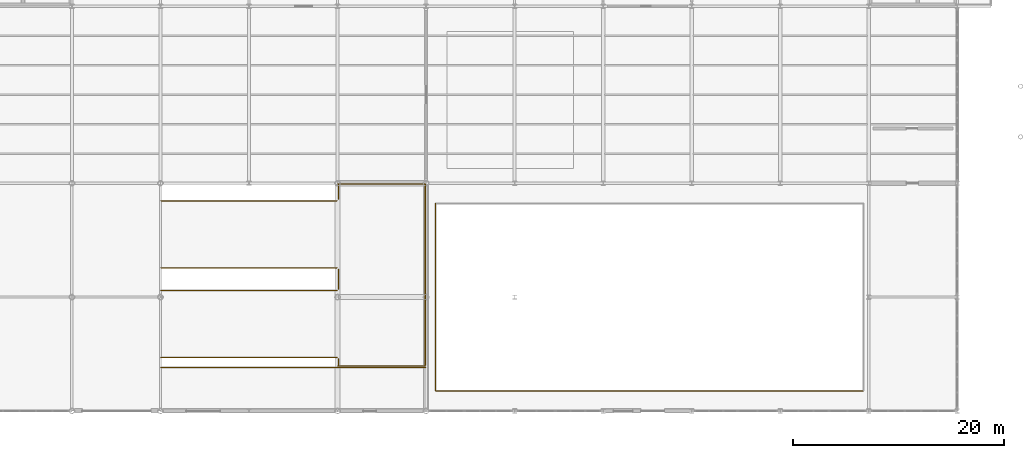
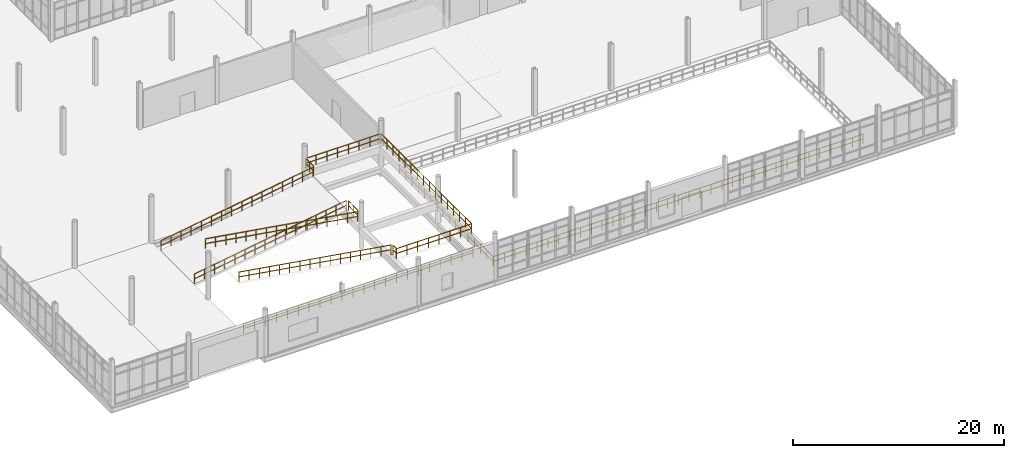
# One storey, part 104 of 111: 13 railings.
"""IFC4 building model written with IfcOpenShell, lengths in metres."""

from ifc_helpers import new_model, si_unit, direction, frame, origin, origin_2d, place, context, subcontext, project, spatial, circle, extrude, material, type_object, element, save


model = new_model("IFC4")

# Units and contexts
model_context = context("Model", 3, precision=1e-05, world=origin(), true_north=direction((0.0, 1.0)))
body_context = subcontext(model_context, "Body", "Model", "MODEL_VIEW")
ifc_project = project(units=[si_unit("LENGTHUNIT", "METRE"), si_unit("AREAUNIT", "SQUARE_METRE"), si_unit("VOLUMEUNIT", "CUBIC_METRE"), si_unit("PLANEANGLEUNIT", "RADIAN"), si_unit("MASSUNIT", "GRAM", prefix="KILO"), si_unit("THERMODYNAMICTEMPERATUREUNIT", "KELVIN"), si_unit("POWERUNIT", "WATT")], contexts=[model_context])

# Site, building, storey
site_placement = place(None, origin())
site = spatial("IfcSite", under=ifc_project, at=site_placement, CompositionType="ELEMENT")
building_placement = place(site_placement, origin())
building = spatial("IfcBuilding", under=site, at=building_placement, Name="Tembeka Court Mobility Hub", CompositionType="ELEMENT")
storey_placement = place(building_placement, origin())
storey = spatial("IfcBuildingStorey", under=building, at=storey_placement, Name="L00", CompositionType="ELEMENT", Elevation=0.0)

# Railings
ifc_material = material(Name="Painted galvanised steel balustrade", Category="steel")
railing_type = type_object("IfcRailingType", Name="RL-GR02", PredefinedType="GUARDRAIL", material=ifc_material)
railing_1_placement = place(storey_placement, frame((42.929931640625, 1.89990234375, 0.0)))
element("IfcRailing", 1, at=railing_1_placement, inside=storey, type_object=railing_type, Name="Perimeter guard GR02-0009", PredefinedType="GUARDRAIL", context=body_context, shape_type="SweptSolid", body=[
    extrude(circle(Radius=0.02392578125, at=origin_2d()), frame((0.0, 0.0, 1.09619140625), z_axis=(1.0, 0.0, 0.0), x_axis=(0.0, 1.0, 0.0)), (0.0, 0.0, 1.0), 40.5400390625),
    extrude(circle(Radius=0.02392578125, at=origin_2d()), frame((0.0, 0.0, 0.5361328125), z_axis=(1.0, 0.0, 0.0), x_axis=(0.0, 1.0, 0.0)), (0.0, 0.0, 1.0), 40.5400390625),
    extrude(circle(Radius=0.02099609375, at=origin_2d()), origin(), (0.0, 0.0, 1.0), 1.072021484375),
    extrude(circle(Radius=0.02099609375, at=origin_2d()), frame((1.1923828125, 0.0, 0.0)), (0.0, 0.0, 1.0), 1.072021484375),
    extrude(circle(Radius=0.02099609375, at=origin_2d()), frame((2.384765625, 0.0, 0.0)), (0.0, 0.0, 1.0), 1.072021484375),
    extrude(circle(Radius=0.02099609375, at=origin_2d()), frame((3.5771484375, 0.0, 0.0)), (0.0, 0.0, 1.0), 1.072021484375),
    extrude(circle(Radius=0.02099609375, at=origin_2d()), frame((4.76953125, 0.0, 0.0)), (0.0, 0.0, 1.0), 1.072021484375),
    extrude(circle(Radius=0.02099609375, at=origin_2d()), frame((5.961669921875, 0.0, 0.0)), (0.0, 0.0, 1.0), 1.072021484375),
    extrude(circle(Radius=0.02099609375, at=origin_2d()), frame((7.154052734375, 0.0, 0.0)), (0.0, 0.0, 1.0), 1.072021484375),
    extrude(circle(Radius=0.02099609375, at=origin_2d()), frame((8.346435546875, 0.0, 0.0)), (0.0, 0.0, 1.0), 1.072021484375),
    extrude(circle(Radius=0.02099609375, at=origin_2d()), frame((9.538818359375, 0.0, 0.0)), (0.0, 0.0, 1.0), 1.072021484375),
    extrude(circle(Radius=0.02099609375, at=origin_2d()), frame((10.731201171875, 0.0, 0.0)), (0.0, 0.0, 1.0), 1.072021484375),
    extrude(circle(Radius=0.02099609375, at=origin_2d()), frame((11.923583984375, 0.0, 0.0)), (0.0, 0.0, 1.0), 1.072021484375),
    extrude(circle(Radius=0.02099609375, at=origin_2d()), frame((13.115966796875, 0.0, 0.0)), (0.0, 0.0, 1.0), 1.072021484375),
    extrude(circle(Radius=0.02099609375, at=origin_2d()), frame((14.308349609375, 0.0, 0.0)), (0.0, 0.0, 1.0), 1.072021484375),
    extrude(circle(Radius=0.02099609375, at=origin_2d()), frame((15.50048828125, 0.0, 0.0)), (0.0, 0.0, 1.0), 1.072021484375),
    extrude(circle(Radius=0.02099609375, at=origin_2d()), frame((16.69287109375, 0.0, 0.0)), (0.0, 0.0, 1.0), 1.072021484375),
    extrude(circle(Radius=0.02099609375, at=origin_2d()), frame((17.88525390625, 0.0, 0.0)), (0.0, 0.0, 1.0), 1.072021484375),
    extrude(circle(Radius=0.02099609375, at=origin_2d()), frame((19.07763671875, 0.0, 0.0)), (0.0, 0.0, 1.0), 1.072021484375),
    extrude(circle(Radius=0.02099609375, at=origin_2d()), frame((20.27001953125, 0.0, 0.0)), (0.0, 0.0, 1.0), 1.072021484375),
    extrude(circle(Radius=0.02099609375, at=origin_2d()), frame((21.46240234375, 0.0, 0.0)), (0.0, 0.0, 1.0), 1.072021484375),
    extrude(circle(Radius=0.02099609375, at=origin_2d()), frame((22.65478515625, 0.0, 0.0)), (0.0, 0.0, 1.0), 1.072021484375),
    extrude(circle(Radius=0.02099609375, at=origin_2d()), frame((23.84716796875, 0.0, 0.0)), (0.0, 0.0, 1.0), 1.072021484375),
    extrude(circle(Radius=0.02099609375, at=origin_2d()), frame((25.03955078125, 0.0, 0.0)), (0.0, 0.0, 1.0), 1.072021484375),
    extrude(circle(Radius=0.02099609375, at=origin_2d()), frame((26.231689453125, 0.0, 0.0)), (0.0, 0.0, 1.0), 1.072021484375),
    extrude(circle(Radius=0.02099609375, at=origin_2d()), frame((27.424072265625, 0.0, 0.0)), (0.0, 0.0, 1.0), 1.072021484375),
    extrude(circle(Radius=0.02099609375, at=origin_2d()), frame((28.616455078125, 0.0, 0.0)), (0.0, 0.0, 1.0), 1.072021484375),
    extrude(circle(Radius=0.02099609375, at=origin_2d()), frame((29.808837890625, 0.0, 0.0)), (0.0, 0.0, 1.0), 1.072021484375),
    extrude(circle(Radius=0.02099609375, at=origin_2d()), frame((31.001220703125, 0.0, 0.0)), (0.0, 0.0, 1.0), 1.072021484375),
    extrude(circle(Radius=0.02099609375, at=origin_2d()), frame((32.193603515625, 0.0, 0.0)), (0.0, 0.0, 1.0), 1.072021484375),
    extrude(circle(Radius=0.02099609375, at=origin_2d()), frame((33.385986328125, 0.0, 0.0)), (0.0, 0.0, 1.0), 1.072021484375),
    extrude(circle(Radius=0.02099609375, at=origin_2d()), frame((34.578369140625, 0.0, 0.0)), (0.0, 0.0, 1.0), 1.072021484375),
    extrude(circle(Radius=0.02099609375, at=origin_2d()), frame((35.7705078125, 0.0, 0.0)), (0.0, 0.0, 1.0), 1.072021484375),
    extrude(circle(Radius=0.02099609375, at=origin_2d()), frame((36.962890625, 0.0, 0.0)), (0.0, 0.0, 1.0), 1.072021484375),
    extrude(circle(Radius=0.02099609375, at=origin_2d()), frame((38.1552734375, 0.0, 0.0)), (0.0, 0.0, 1.0), 1.072021484375),
    extrude(circle(Radius=0.02099609375, at=origin_2d()), frame((39.34765625, 0.0, 0.0)), (0.0, 0.0, 1.0), 1.072021484375),
    extrude(circle(Radius=0.02099609375, at=origin_2d()), frame((40.5400390625, 0.0, 0.0)), (0.0, 0.0, 1.0), 1.072021484375),
])
railing_2_placement = place(storey_placement, frame((42.89990234375, 19.669921875, 0.0)))
element("IfcRailing", 2, at=railing_2_placement, inside=storey, type_object=railing_type, Name="Perimeter guard GR02-0012", PredefinedType="GUARDRAIL", context=body_context, shape_type="SweptSolid", body=[
    extrude(circle(Radius=0.02392578125, at=origin_2d()), frame((0.0, 0.0, 1.09619140625), z_axis=(0.0, -1.0, 0.0), x_axis=(1.0, 0.0, 0.0)), (0.0, 0.0, 1.0), 17.739990234375),
    extrude(circle(Radius=0.02392578125, at=origin_2d()), frame((0.0, 0.0, 0.5361328125), z_axis=(0.0, -1.0, 0.0), x_axis=(1.0, 0.0, 0.0)), (0.0, 0.0, 1.0), 17.739990234375),
    extrude(circle(Radius=0.02099609375, at=origin_2d()), origin(), (0.0, 0.0, 1.0), 1.072021484375),
    extrude(circle(Radius=0.02099609375, at=origin_2d()), frame((0.0, -1.1826171875, 0.0)), (0.0, 0.0, 1.0), 1.072021484375),
    extrude(circle(Radius=0.02099609375, at=origin_2d()), frame((0.0, -2.365234375, 0.0)), (0.0, 0.0, 1.0), 1.072021484375),
    extrude(circle(Radius=0.02099609375, at=origin_2d()), frame((0.0, -3.548095703125, 0.0)), (0.0, 0.0, 1.0), 1.072021484375),
    extrude(circle(Radius=0.02099609375, at=origin_2d()), frame((0.0, -4.730712890625, 0.0)), (0.0, 0.0, 1.0), 1.072021484375),
    extrude(circle(Radius=0.02099609375, at=origin_2d()), frame((0.0, -5.913330078125, 0.0)), (0.0, 0.0, 1.0), 1.072021484375),
    extrude(circle(Radius=0.02099609375, at=origin_2d()), frame((0.0, -7.095947265625, 0.0)), (0.0, 0.0, 1.0), 1.072021484375),
    extrude(circle(Radius=0.02099609375, at=origin_2d()), frame((0.0, -8.278564453125, 0.0)), (0.0, 0.0, 1.0), 1.072021484375),
    extrude(circle(Radius=0.02099609375, at=origin_2d()), frame((0.0, -9.46142578125, 0.0)), (0.0, 0.0, 1.0), 1.072021484375),
    extrude(circle(Radius=0.02099609375, at=origin_2d()), frame((0.0, -10.64404296875, 0.0)), (0.0, 0.0, 1.0), 1.072021484375),
    extrude(circle(Radius=0.02099609375, at=origin_2d()), frame((0.0, -11.82666015625, 0.0)), (0.0, 0.0, 1.0), 1.072021484375),
    extrude(circle(Radius=0.02099609375, at=origin_2d()), frame((0.0, -13.00927734375, 0.0)), (0.0, 0.0, 1.0), 1.072021484375),
    extrude(circle(Radius=0.02099609375, at=origin_2d()), frame((0.0, -14.19189453125, 0.0)), (0.0, 0.0, 1.0), 1.072021484375),
    extrude(circle(Radius=0.02099609375, at=origin_2d()), frame((0.0, -15.374755859375, 0.0)), (0.0, 0.0, 1.0), 1.072021484375),
    extrude(circle(Radius=0.02099609375, at=origin_2d()), frame((0.0, -16.557373046875, 0.0)), (0.0, 0.0, 1.0), 1.072021484375),
    extrude(circle(Radius=0.02099609375, at=origin_2d()), frame((0.0, -17.739990234375, 0.0)), (0.0, 0.0, 1.0), 1.072021484375),
])
railing_3_placement = place(storey_placement, frame((16.830078125, 4.1201171875, 0.0)))
element("IfcRailing", 3, at=railing_3_placement, inside=storey, type_object=railing_type, Name="Perimeter guard GR02-0184", PredefinedType="GUARDRAIL", context=body_context, shape_type="SweptSolid", body=[
    extrude(circle(Radius=0.02392578125, at=origin_2d()), frame((0.0, 0.0, 1.09619140625), z_axis=(1.0, 0.0, 0.0), x_axis=(0.0, 1.0, 0.0)), (0.0, 0.0, 1.0), 25.139892578125),
    extrude(circle(Radius=0.02392578125, at=origin_2d()), frame((0.0, 0.0, 0.5361328125), z_axis=(1.0, 0.0, 0.0), x_axis=(0.0, 1.0, 0.0)), (0.0, 0.0, 1.0), 25.139892578125),
    extrude(circle(Radius=0.02099609375, at=origin_2d()), origin(), (0.0, 0.0, 1.0), 1.072021484375),
    extrude(circle(Radius=0.02099609375, at=origin_2d()), frame((1.197021484375, 0.0, 0.0)), (0.0, 0.0, 1.0), 1.072021484375),
    extrude(circle(Radius=0.02099609375, at=origin_2d()), frame((2.394287109375, 0.0, 0.0)), (0.0, 0.0, 1.0), 1.072021484375),
    extrude(circle(Radius=0.02099609375, at=origin_2d()), frame((3.59130859375, 0.0, 0.0)), (0.0, 0.0, 1.0), 1.072021484375),
    extrude(circle(Radius=0.02099609375, at=origin_2d()), frame((4.78857421875, 0.0, 0.0)), (0.0, 0.0, 1.0), 1.072021484375),
    extrude(circle(Radius=0.02099609375, at=origin_2d()), frame((5.985595703125, 0.0, 0.0)), (0.0, 0.0, 1.0), 1.072021484375),
    extrude(circle(Radius=0.02099609375, at=origin_2d()), frame((7.182861328125, 0.0, 0.0)), (0.0, 0.0, 1.0), 1.072021484375),
    extrude(circle(Radius=0.02099609375, at=origin_2d()), frame((8.3798828125, 0.0, 0.0)), (0.0, 0.0, 1.0), 1.072021484375),
    extrude(circle(Radius=0.02099609375, at=origin_2d()), frame((9.5771484375, 0.0, 0.0)), (0.0, 0.0, 1.0), 1.072021484375),
    extrude(circle(Radius=0.02099609375, at=origin_2d()), frame((10.774169921875, 0.0, 0.0)), (0.0, 0.0, 1.0), 1.072021484375),
    extrude(circle(Radius=0.02099609375, at=origin_2d()), frame((11.971435546875, 0.0, 0.0)), (0.0, 0.0, 1.0), 1.072021484375),
    extrude(circle(Radius=0.02099609375, at=origin_2d()), frame((13.16845703125, 0.0, 0.0)), (0.0, 0.0, 1.0), 1.072021484375),
    extrude(circle(Radius=0.02099609375, at=origin_2d()), frame((14.36572265625, 0.0, 0.0)), (0.0, 0.0, 1.0), 1.072021484375),
    extrude(circle(Radius=0.02099609375, at=origin_2d()), frame((15.562744140625, 0.0, 0.0)), (0.0, 0.0, 1.0), 1.072021484375),
    extrude(circle(Radius=0.02099609375, at=origin_2d()), frame((16.760009765625, 0.0, 0.0)), (0.0, 0.0, 1.0), 1.072021484375),
    extrude(circle(Radius=0.02099609375, at=origin_2d()), frame((17.95703125, 0.0, 0.0)), (0.0, 0.0, 1.0), 1.072021484375),
    extrude(circle(Radius=0.02099609375, at=origin_2d()), frame((19.154296875, 0.0, 0.0)), (0.0, 0.0, 1.0), 1.072021484375),
    extrude(circle(Radius=0.02099609375, at=origin_2d()), frame((20.351318359375, 0.0, 0.0)), (0.0, 0.0, 1.0), 1.072021484375),
    extrude(circle(Radius=0.02099609375, at=origin_2d()), frame((21.548583984375, 0.0, 0.0)), (0.0, 0.0, 1.0), 1.072021484375),
    extrude(circle(Radius=0.02099609375, at=origin_2d()), frame((22.74560546875, 0.0, 0.0)), (0.0, 0.0, 1.0), 1.072021484375),
    extrude(circle(Radius=0.02099609375, at=origin_2d()), frame((23.94287109375, 0.0, 0.0)), (0.0, 0.0, 1.0), 1.072021484375),
    extrude(circle(Radius=0.02099609375, at=origin_2d()), frame((25.139892578125, 0.0, 0.0)), (0.0, 0.0, 1.0), 1.072021484375),
])
railing_4_placement = place(storey_placement, frame((16.86962890625, 13.570068359375, 0.0048828125)))
element("IfcRailing", 4, at=railing_4_placement, inside=storey, type_object=railing_type, Name="Perimeter guard GR02-0287", PredefinedType="GUARDRAIL", context=body_context, shape_type="SweptSolid", body=[
    extrude(circle(Radius=0.02392578125, at=origin_2d()), frame((0.0, 0.0, 1.09619140625), z_axis=(0.987211393699, 0.0, 0.159416636997), x_axis=(0.0, 1.0, 0.0)), (0.0, 0.0, 1.0), 16.876708984375),
    extrude(circle(Radius=0.02392578125, at=origin_2d()), frame((0.0, 0.0, 0.5361328125), z_axis=(0.987211393699, 0.0, 0.159416636997), x_axis=(0.0, 1.0, 0.0)), (0.0, 0.0, 1.0), 16.876708984375),
    extrude(circle(Radius=0.02099609375, at=origin_2d()), origin(), (0.0, 0.0, 1.0), 1.072021484375),
    extrude(circle(Radius=0.02099609375, at=origin_2d()), frame((1.11083984375, 0.0, 0.179443359375)), (0.0, 0.0, 1.0), 1.072021484375),
    extrude(circle(Radius=0.02099609375, at=origin_2d()), frame((2.221435546875, 0.0, 0.358642578125)), (0.0, 0.0, 1.0), 1.072021484375),
    extrude(circle(Radius=0.02099609375, at=origin_2d()), frame((3.332275390625, 0.0, 0.5380859375)), (0.0, 0.0, 1.0), 1.072021484375),
    extrude(circle(Radius=0.02099609375, at=origin_2d()), frame((4.44287109375, 0.0, 0.717529296875)), (0.0, 0.0, 1.0), 1.072021484375),
    extrude(circle(Radius=0.02099609375, at=origin_2d()), frame((5.5537109375, 0.0, 0.896728515625)), (0.0, 0.0, 1.0), 1.072021484375),
    extrude(circle(Radius=0.02099609375, at=origin_2d()), frame((6.664306640625, 0.0, 1.076171875)), (0.0, 0.0, 1.0), 1.072021484375),
    extrude(circle(Radius=0.02099609375, at=origin_2d()), frame((7.775146484375, 0.0, 1.255615234375)), (0.0, 0.0, 1.0), 1.072021484375),
    extrude(circle(Radius=0.02099609375, at=origin_2d()), frame((8.8857421875, 0.0, 1.434814453125)), (0.0, 0.0, 1.0), 1.072021484375),
    extrude(circle(Radius=0.02099609375, at=origin_2d()), frame((9.99658203125, 0.0, 1.6142578125)), (0.0, 0.0, 1.0), 1.072021484375),
    extrude(circle(Radius=0.02099609375, at=origin_2d()), frame((11.107177734375, 0.0, 1.793701171875)), (0.0, 0.0, 1.0), 1.072021484375),
    extrude(circle(Radius=0.02099609375, at=origin_2d()), frame((12.218017578125, 0.0, 1.972900390625)), (0.0, 0.0, 1.0), 1.072021484375),
    extrude(circle(Radius=0.02099609375, at=origin_2d()), frame((13.32861328125, 0.0, 2.15234375)), (0.0, 0.0, 1.0), 1.072021484375),
    extrude(circle(Radius=0.02099609375, at=origin_2d()), frame((14.439453125, 0.0, 2.331787109375)), (0.0, 0.0, 1.0), 1.072021484375),
    extrude(circle(Radius=0.02099609375, at=origin_2d()), frame((15.550048828125, 0.0, 2.510986328125)), (0.0, 0.0, 1.0), 1.072021484375),
    extrude(circle(Radius=0.02099609375, at=origin_2d()), frame((16.660888671875, 0.0, 2.6904296875)), (0.0, 0.0, 1.0), 1.072021484375),
])
railing_5_placement = place(storey_placement, frame((33.530517578125, 5.070068359375, 2.704833984375)))
element("IfcRailing", 5, at=railing_5_placement, inside=storey, type_object=railing_type, Name="Perimeter guard GR02-0288", PredefinedType="GUARDRAIL", context=body_context, shape_type="SweptSolid", body=[
    extrude(circle(Radius=0.02392578125, at=origin_2d()), frame((0.0, 0.0, 1.09619140625), z_axis=(-0.987211393699, 0.0, 0.159416636997), x_axis=(0.0, -1.0, 0.0)), (0.0, 0.0, 1.0), 16.876708984375),
    extrude(circle(Radius=0.02392578125, at=origin_2d()), frame((0.0, 0.0, 0.5361328125), z_axis=(-0.987211393699, 0.0, 0.159416636997), x_axis=(0.0, -1.0, 0.0)), (0.0, 0.0, 1.0), 16.876708984375),
    extrude(circle(Radius=0.02099609375, at=origin_2d()), origin(), (0.0, 0.0, 1.0), 1.072021484375),
    extrude(circle(Radius=0.02099609375, at=origin_2d()), frame((-1.11083984375, 0.0, 0.179443359375)), (0.0, 0.0, 1.0), 1.072021484375),
    extrude(circle(Radius=0.02099609375, at=origin_2d()), frame((-2.221435546875, 0.0, 0.358642578125)), (0.0, 0.0, 1.0), 1.072021484375),
    extrude(circle(Radius=0.02099609375, at=origin_2d()), frame((-3.332275390625, 0.0, 0.5380859375)), (0.0, 0.0, 1.0), 1.072021484375),
    extrude(circle(Radius=0.02099609375, at=origin_2d()), frame((-4.44287109375, 0.0, 0.717529296875)), (0.0, 0.0, 1.0), 1.072021484375),
    extrude(circle(Radius=0.02099609375, at=origin_2d()), frame((-5.5537109375, 0.0, 0.896728515625)), (0.0, 0.0, 1.0), 1.072021484375),
    extrude(circle(Radius=0.02099609375, at=origin_2d()), frame((-6.664306640625, 0.0, 1.076171875)), (0.0, 0.0, 1.0), 1.072021484375),
    extrude(circle(Radius=0.02099609375, at=origin_2d()), frame((-7.775146484375, 0.0, 1.255615234375)), (0.0, 0.0, 1.0), 1.072021484375),
    extrude(circle(Radius=0.02099609375, at=origin_2d()), frame((-8.8857421875, 0.0, 1.434814453125)), (0.0, 0.0, 1.0), 1.072021484375),
    extrude(circle(Radius=0.02099609375, at=origin_2d()), frame((-9.99658203125, 0.0, 1.6142578125)), (0.0, 0.0, 1.0), 1.072021484375),
    extrude(circle(Radius=0.02099609375, at=origin_2d()), frame((-11.107177734375, 0.0, 1.793701171875)), (0.0, 0.0, 1.0), 1.072021484375),
    extrude(circle(Radius=0.02099609375, at=origin_2d()), frame((-12.218017578125, 0.0, 1.972900390625)), (0.0, 0.0, 1.0), 1.072021484375),
    extrude(circle(Radius=0.02099609375, at=origin_2d()), frame((-13.32861328125, 0.0, 2.15234375)), (0.0, 0.0, 1.0), 1.072021484375),
    extrude(circle(Radius=0.02099609375, at=origin_2d()), frame((-14.439453125, 0.0, 2.331787109375)), (0.0, 0.0, 1.0), 1.072021484375),
    extrude(circle(Radius=0.02099609375, at=origin_2d()), frame((-15.550048828125, 0.0, 2.510986328125)), (0.0, 0.0, 1.0), 1.072021484375),
    extrude(circle(Radius=0.02099609375, at=origin_2d()), frame((-16.660888671875, 0.0, 2.6904296875)), (0.0, 0.0, 1.0), 1.072021484375),
])
railing_6_placement = place(storey_placement, frame((16.86962890625, 19.929931640625, 0.0048828125)))
element("IfcRailing", 6, at=railing_6_placement, inside=storey, type_object=railing_type, Name="Perimeter guard GR02-0289", PredefinedType="GUARDRAIL", context=body_context, shape_type="SweptSolid", body=[
    extrude(circle(Radius=0.02392578125, at=origin_2d()), frame((0.0, 0.0, 1.09619140625), z_axis=(0.987211393699, 0.0, 0.159416636997), x_axis=(0.0, 1.0, 0.0)), (0.0, 0.0, 1.0), 16.876708984375),
    extrude(circle(Radius=0.02392578125, at=origin_2d()), frame((0.0, 0.0, 0.5361328125), z_axis=(0.987211393699, 0.0, 0.159416636997), x_axis=(0.0, 1.0, 0.0)), (0.0, 0.0, 1.0), 16.876708984375),
    extrude(circle(Radius=0.02099609375, at=origin_2d()), origin(), (0.0, 0.0, 1.0), 1.072021484375),
    extrude(circle(Radius=0.02099609375, at=origin_2d()), frame((1.11083984375, 0.0, 0.179443359375)), (0.0, 0.0, 1.0), 1.072021484375),
    extrude(circle(Radius=0.02099609375, at=origin_2d()), frame((2.221435546875, 0.0, 0.358642578125)), (0.0, 0.0, 1.0), 1.072021484375),
    extrude(circle(Radius=0.02099609375, at=origin_2d()), frame((3.332275390625, 0.0, 0.5380859375)), (0.0, 0.0, 1.0), 1.072021484375),
    extrude(circle(Radius=0.02099609375, at=origin_2d()), frame((4.44287109375, 0.0, 0.717529296875)), (0.0, 0.0, 1.0), 1.072021484375),
    extrude(circle(Radius=0.02099609375, at=origin_2d()), frame((5.5537109375, 0.0, 0.896728515625)), (0.0, 0.0, 1.0), 1.072021484375),
    extrude(circle(Radius=0.02099609375, at=origin_2d()), frame((6.664306640625, 0.0, 1.076171875)), (0.0, 0.0, 1.0), 1.072021484375),
    extrude(circle(Radius=0.02099609375, at=origin_2d()), frame((7.775146484375, 0.0, 1.255615234375)), (0.0, 0.0, 1.0), 1.072021484375),
    extrude(circle(Radius=0.02099609375, at=origin_2d()), frame((8.8857421875, 0.0, 1.434814453125)), (0.0, 0.0, 1.0), 1.072021484375),
    extrude(circle(Radius=0.02099609375, at=origin_2d()), frame((9.99658203125, 0.0, 1.6142578125)), (0.0, 0.0, 1.0), 1.072021484375),
    extrude(circle(Radius=0.02099609375, at=origin_2d()), frame((11.107177734375, 0.0, 1.793701171875)), (0.0, 0.0, 1.0), 1.072021484375),
    extrude(circle(Radius=0.02099609375, at=origin_2d()), frame((12.218017578125, 0.0, 1.972900390625)), (0.0, 0.0, 1.0), 1.072021484375),
    extrude(circle(Radius=0.02099609375, at=origin_2d()), frame((13.32861328125, 0.0, 2.15234375)), (0.0, 0.0, 1.0), 1.072021484375),
    extrude(circle(Radius=0.02099609375, at=origin_2d()), frame((14.439453125, 0.0, 2.331787109375)), (0.0, 0.0, 1.0), 1.072021484375),
    extrude(circle(Radius=0.02099609375, at=origin_2d()), frame((15.550048828125, 0.0, 2.510986328125)), (0.0, 0.0, 1.0), 1.072021484375),
    extrude(circle(Radius=0.02099609375, at=origin_2d()), frame((16.660888671875, 0.0, 2.6904296875)), (0.0, 0.0, 1.0), 1.072021484375),
])
railing_7_placement = place(storey_placement, frame((33.530517578125, 11.429931640625, 2.704833984375)))
element("IfcRailing", 7, at=railing_7_placement, inside=storey, type_object=railing_type, Name="Perimeter guard GR02-0290", PredefinedType="GUARDRAIL", context=body_context, shape_type="SweptSolid", body=[
    extrude(circle(Radius=0.02392578125, at=origin_2d()), frame((0.0, 0.0, 1.09619140625), z_axis=(-0.987211393699, 0.0, 0.159416636997), x_axis=(0.0, -1.0, 0.0)), (0.0, 0.0, 1.0), 16.876708984375),
    extrude(circle(Radius=0.02392578125, at=origin_2d()), frame((0.0, 0.0, 0.5361328125), z_axis=(-0.987211393699, 0.0, 0.159416636997), x_axis=(0.0, -1.0, 0.0)), (0.0, 0.0, 1.0), 16.876708984375),
    extrude(circle(Radius=0.02099609375, at=origin_2d()), origin(), (0.0, 0.0, 1.0), 1.072021484375),
    extrude(circle(Radius=0.02099609375, at=origin_2d()), frame((-1.11083984375, 0.0, 0.179443359375)), (0.0, 0.0, 1.0), 1.072021484375),
    extrude(circle(Radius=0.02099609375, at=origin_2d()), frame((-2.221435546875, 0.0, 0.358642578125)), (0.0, 0.0, 1.0), 1.072021484375),
    extrude(circle(Radius=0.02099609375, at=origin_2d()), frame((-3.332275390625, 0.0, 0.5380859375)), (0.0, 0.0, 1.0), 1.072021484375),
    extrude(circle(Radius=0.02099609375, at=origin_2d()), frame((-4.44287109375, 0.0, 0.717529296875)), (0.0, 0.0, 1.0), 1.072021484375),
    extrude(circle(Radius=0.02099609375, at=origin_2d()), frame((-5.5537109375, 0.0, 0.896728515625)), (0.0, 0.0, 1.0), 1.072021484375),
    extrude(circle(Radius=0.02099609375, at=origin_2d()), frame((-6.664306640625, 0.0, 1.076171875)), (0.0, 0.0, 1.0), 1.072021484375),
    extrude(circle(Radius=0.02099609375, at=origin_2d()), frame((-7.775146484375, 0.0, 1.255615234375)), (0.0, 0.0, 1.0), 1.072021484375),
    extrude(circle(Radius=0.02099609375, at=origin_2d()), frame((-8.8857421875, 0.0, 1.434814453125)), (0.0, 0.0, 1.0), 1.072021484375),
    extrude(circle(Radius=0.02099609375, at=origin_2d()), frame((-9.99658203125, 0.0, 1.6142578125)), (0.0, 0.0, 1.0), 1.072021484375),
    extrude(circle(Radius=0.02099609375, at=origin_2d()), frame((-11.107177734375, 0.0, 1.793701171875)), (0.0, 0.0, 1.0), 1.072021484375),
    extrude(circle(Radius=0.02099609375, at=origin_2d()), frame((-12.218017578125, 0.0, 1.972900390625)), (0.0, 0.0, 1.0), 1.072021484375),
    extrude(circle(Radius=0.02099609375, at=origin_2d()), frame((-13.32861328125, 0.0, 2.15234375)), (0.0, 0.0, 1.0), 1.072021484375),
    extrude(circle(Radius=0.02099609375, at=origin_2d()), frame((-14.439453125, 0.0, 2.331787109375)), (0.0, 0.0, 1.0), 1.072021484375),
    extrude(circle(Radius=0.02099609375, at=origin_2d()), frame((-15.550048828125, 0.0, 2.510986328125)), (0.0, 0.0, 1.0), 1.072021484375),
    extrude(circle(Radius=0.02099609375, at=origin_2d()), frame((-16.660888671875, 0.0, 2.6904296875)), (0.0, 0.0, 1.0), 1.072021484375),
])
railing_8_placement = place(storey_placement, frame((33.6298828125, 4.280029296875, 2.699951171875)))
element("IfcRailing", 8, at=railing_8_placement, inside=storey, type_object=railing_type, Name="Perimeter guard GR02-0291", PredefinedType="GUARDRAIL", context=body_context, shape_type="SweptSolid", body=[
    extrude(circle(Radius=0.02392578125, at=origin_2d()), frame((0.0, 0.0, 1.09619140625), z_axis=(1.0, 0.0, 0.0), x_axis=(0.0, 1.0, 0.0)), (0.0, 0.0, 1.0), 8.260009765625),
    extrude(circle(Radius=0.02392578125, at=origin_2d()), frame((0.0, 0.0, 0.5361328125), z_axis=(1.0, 0.0, 0.0), x_axis=(0.0, 1.0, 0.0)), (0.0, 0.0, 1.0), 8.260009765625),
    extrude(circle(Radius=0.02099609375, at=origin_2d()), origin(), (0.0, 0.0, 1.0), 1.072021484375),
    extrude(circle(Radius=0.02099609375, at=origin_2d()), frame((1.179931640625, 0.0, 0.0)), (0.0, 0.0, 1.0), 1.072021484375),
    extrude(circle(Radius=0.02099609375, at=origin_2d()), frame((2.360107421875, 0.0, 0.0)), (0.0, 0.0, 1.0), 1.072021484375),
    extrude(circle(Radius=0.02099609375, at=origin_2d()), frame((3.5400390625, 0.0, 0.0)), (0.0, 0.0, 1.0), 1.072021484375),
    extrude(circle(Radius=0.02099609375, at=origin_2d()), frame((4.719970703125, 0.0, 0.0)), (0.0, 0.0, 1.0), 1.072021484375),
    extrude(circle(Radius=0.02099609375, at=origin_2d()), frame((5.89990234375, 0.0, 0.0)), (0.0, 0.0, 1.0), 1.072021484375),
    extrude(circle(Radius=0.02099609375, at=origin_2d()), frame((7.080078125, 0.0, 0.0)), (0.0, 0.0, 1.0), 1.072021484375),
    extrude(circle(Radius=0.02099609375, at=origin_2d()), frame((8.260009765625, 0.0, 0.0)), (0.0, 0.0, 1.0), 1.072021484375),
])
railing_9_placement = place(storey_placement, frame((41.919921875, 4.31005859375, 2.699951171875)))
element("IfcRailing", 9, at=railing_9_placement, inside=storey, type_object=railing_type, Name="Perimeter guard GR02-0292", PredefinedType="GUARDRAIL", context=body_context, shape_type="SweptSolid", body=[
    extrude(circle(Radius=0.02392578125, at=origin_2d()), frame((0.0, 0.0, 1.09619140625), z_axis=(0.0, 1.0, 0.0), x_axis=(-1.0, 0.0, 0.0)), (0.0, 0.0, 1.0), 17.179931640625),
    extrude(circle(Radius=0.02392578125, at=origin_2d()), frame((0.0, 0.0, 0.5361328125), z_axis=(0.0, 1.0, 0.0), x_axis=(-1.0, 0.0, 0.0)), (0.0, 0.0, 1.0), 17.179931640625),
    extrude(circle(Radius=0.02099609375, at=origin_2d()), origin(), (0.0, 0.0, 1.0), 1.072021484375),
    extrude(circle(Radius=0.02099609375, at=origin_2d()), frame((0.0, 1.145263671875, 0.0)), (0.0, 0.0, 1.0), 1.072021484375),
    extrude(circle(Radius=0.02099609375, at=origin_2d()), frame((0.0, 2.290771484375, 0.0)), (0.0, 0.0, 1.0), 1.072021484375),
    extrude(circle(Radius=0.02099609375, at=origin_2d()), frame((0.0, 3.43603515625, 0.0)), (0.0, 0.0, 1.0), 1.072021484375),
    extrude(circle(Radius=0.02099609375, at=origin_2d()), frame((0.0, 4.581298828125, 0.0)), (0.0, 0.0, 1.0), 1.072021484375),
    extrude(circle(Radius=0.02099609375, at=origin_2d()), frame((0.0, 5.7265625, 0.0)), (0.0, 0.0, 1.0), 1.072021484375),
    extrude(circle(Radius=0.02099609375, at=origin_2d()), frame((0.0, 6.8720703125, 0.0)), (0.0, 0.0, 1.0), 1.072021484375),
    extrude(circle(Radius=0.02099609375, at=origin_2d()), frame((0.0, 8.017333984375, 0.0)), (0.0, 0.0, 1.0), 1.072021484375),
    extrude(circle(Radius=0.02099609375, at=origin_2d()), frame((0.0, 9.16259765625, 0.0)), (0.0, 0.0, 1.0), 1.072021484375),
    extrude(circle(Radius=0.02099609375, at=origin_2d()), frame((0.0, 10.307861328125, 0.0)), (0.0, 0.0, 1.0), 1.072021484375),
    extrude(circle(Radius=0.02099609375, at=origin_2d()), frame((0.0, 11.453369140625, 0.0)), (0.0, 0.0, 1.0), 1.072021484375),
    extrude(circle(Radius=0.02099609375, at=origin_2d()), frame((0.0, 12.5986328125, 0.0)), (0.0, 0.0, 1.0), 1.072021484375),
    extrude(circle(Radius=0.02099609375, at=origin_2d()), frame((0.0, 13.743896484375, 0.0)), (0.0, 0.0, 1.0), 1.072021484375),
    extrude(circle(Radius=0.02099609375, at=origin_2d()), frame((0.0, 14.88916015625, 0.0)), (0.0, 0.0, 1.0), 1.072021484375),
    extrude(circle(Radius=0.02099609375, at=origin_2d()), frame((0.0, 16.03466796875, 0.0)), (0.0, 0.0, 1.0), 1.072021484375),
    extrude(circle(Radius=0.02099609375, at=origin_2d()), frame((0.0, 17.179931640625, 0.0)), (0.0, 0.0, 1.0), 1.072021484375),
])
railing_10_placement = place(storey_placement, frame((41.889892578125, 21.52001953125, 2.699951171875)))
element("IfcRailing", 10, at=railing_10_placement, inside=storey, type_object=railing_type, Name="Perimeter guard GR02-0293", PredefinedType="GUARDRAIL", context=body_context, shape_type="SweptSolid", body=[
    extrude(circle(Radius=0.02392578125, at=origin_2d()), frame((0.0, 0.0, 1.09619140625), z_axis=(-1.0, 0.0, 0.0), x_axis=(0.0, -1.0, 0.0)), (0.0, 0.0, 1.0), 8.260009765625),
    extrude(circle(Radius=0.02392578125, at=origin_2d()), frame((0.0, 0.0, 0.5361328125), z_axis=(-1.0, 0.0, 0.0), x_axis=(0.0, -1.0, 0.0)), (0.0, 0.0, 1.0), 8.260009765625),
    extrude(circle(Radius=0.02099609375, at=origin_2d()), origin(), (0.0, 0.0, 1.0), 1.072021484375),
    extrude(circle(Radius=0.02099609375, at=origin_2d()), frame((-1.179931640625, 0.0, 0.0)), (0.0, 0.0, 1.0), 1.072021484375),
    extrude(circle(Radius=0.02099609375, at=origin_2d()), frame((-2.360107421875, 0.0, 0.0)), (0.0, 0.0, 1.0), 1.072021484375),
    extrude(circle(Radius=0.02099609375, at=origin_2d()), frame((-3.5400390625, 0.0, 0.0)), (0.0, 0.0, 1.0), 1.072021484375),
    extrude(circle(Radius=0.02099609375, at=origin_2d()), frame((-4.719970703125, 0.0, 0.0)), (0.0, 0.0, 1.0), 1.072021484375),
    extrude(circle(Radius=0.02099609375, at=origin_2d()), frame((-5.89990234375, 0.0, 0.0)), (0.0, 0.0, 1.0), 1.072021484375),
    extrude(circle(Radius=0.02099609375, at=origin_2d()), frame((-7.080078125, 0.0, 0.0)), (0.0, 0.0, 1.0), 1.072021484375),
    extrude(circle(Radius=0.02099609375, at=origin_2d()), frame((-8.260009765625, 0.0, 0.0)), (0.0, 0.0, 1.0), 1.072021484375),
])
railing_11_placement = place(storey_placement, frame((33.679931640625, 4.31005859375, 2.699951171875)))
element("IfcRailing", 11, at=railing_11_placement, inside=storey, type_object=railing_type, Name="Perimeter guard GR02-0294", PredefinedType="GUARDRAIL", context=body_context, shape_type="SweptSolid", body=[
    extrude(circle(Radius=0.02392578125, at=origin_2d()), frame((0.0, 0.0, 1.09619140625), z_axis=(0.0, 1.0, 0.0), x_axis=(-1.0, 0.0, 0.0)), (0.0, 0.0, 1.0), 0.60986328125),
    extrude(circle(Radius=0.02392578125, at=origin_2d()), frame((0.0, 0.0, 0.5361328125), z_axis=(0.0, 1.0, 0.0), x_axis=(-1.0, 0.0, 0.0)), (0.0, 0.0, 1.0), 0.60986328125),
    extrude(circle(Radius=0.02099609375, at=origin_2d()), origin(), (0.0, 0.0, 1.0), 1.072021484375),
    extrude(circle(Radius=0.02099609375, at=origin_2d()), frame((0.0, 0.60986328125, 0.0)), (0.0, 0.0, 1.0), 1.072021484375),
])
railing_12_placement = place(storey_placement, frame((33.679931640625, 11.580078125, 2.699951171875)))
element("IfcRailing", 12, at=railing_12_placement, inside=storey, type_object=railing_type, Name="Perimeter guard GR02-0295", PredefinedType="GUARDRAIL", context=body_context, shape_type="SweptSolid", body=[
    extrude(circle(Radius=0.02392578125, at=origin_2d()), frame((0.0, 0.0, 1.09619140625), z_axis=(0.0, 1.0, 0.0), x_axis=(-1.0, 0.0, 0.0)), (0.0, 0.0, 1.0), 1.83984375),
    extrude(circle(Radius=0.02392578125, at=origin_2d()), frame((0.0, 0.0, 0.5361328125), z_axis=(0.0, 1.0, 0.0), x_axis=(-1.0, 0.0, 0.0)), (0.0, 0.0, 1.0), 1.83984375),
    extrude(circle(Radius=0.02099609375, at=origin_2d()), origin(), (0.0, 0.0, 1.0), 1.072021484375),
    extrude(circle(Radius=0.02099609375, at=origin_2d()), frame((0.0, 0.919921875, 0.0)), (0.0, 0.0, 1.0), 1.072021484375),
    extrude(circle(Radius=0.02099609375, at=origin_2d()), frame((0.0, 1.83984375, 0.0)), (0.0, 0.0, 1.0), 1.072021484375),
])
railing_13_placement = place(storey_placement, frame((33.679931640625, 20.080078125, 2.699951171875)))
element("IfcRailing", 13, at=railing_13_placement, inside=storey, type_object=railing_type, Name="Perimeter guard GR02-0296", PredefinedType="GUARDRAIL", context=body_context, shape_type="SweptSolid", body=[
    extrude(circle(Radius=0.02392578125, at=origin_2d()), frame((0.0, 0.0, 1.09619140625), z_axis=(0.0, 1.0, 0.0), x_axis=(-1.0, 0.0, 0.0)), (0.0, 0.0, 1.0), 1.409912109375),
    extrude(circle(Radius=0.02392578125, at=origin_2d()), frame((0.0, 0.0, 0.5361328125), z_axis=(0.0, 1.0, 0.0), x_axis=(-1.0, 0.0, 0.0)), (0.0, 0.0, 1.0), 1.409912109375),
    extrude(circle(Radius=0.02099609375, at=origin_2d()), origin(), (0.0, 0.0, 1.0), 1.072021484375),
    extrude(circle(Radius=0.02099609375, at=origin_2d()), frame((0.0, 0.705078125, 0.0)), (0.0, 0.0, 1.0), 1.072021484375),
    extrude(circle(Radius=0.02099609375, at=origin_2d()), frame((0.0, 1.409912109375, 0.0)), (0.0, 0.0, 1.0), 1.072021484375),
])

save(model, "model.ifc")
